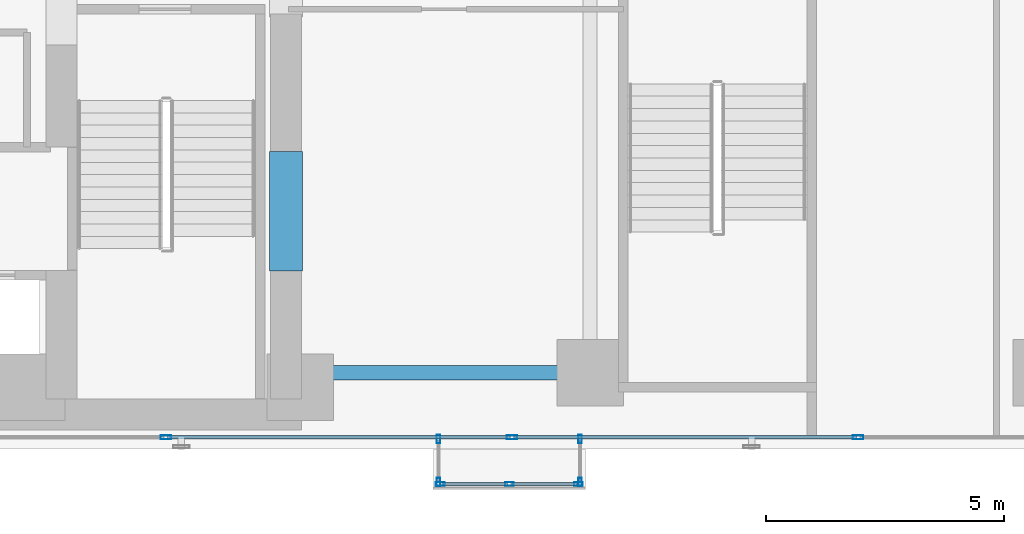
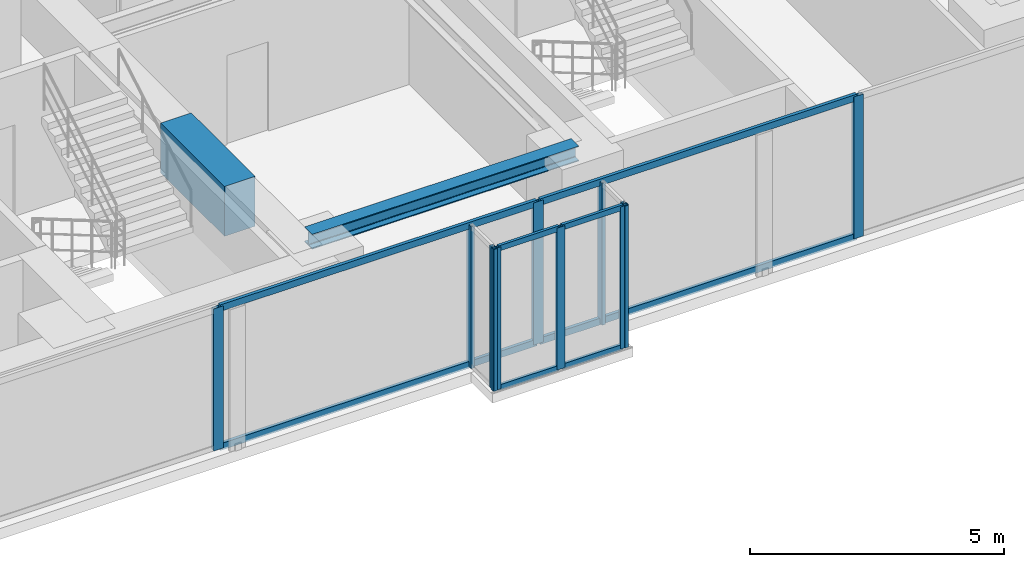
# One storey, part 4 of 25: 18 members, 2 beams, 4 elements without a shape of their own.
"""IFC4 building model written with IfcOpenShell, lengths in metres."""

from ifc_helpers import new_model, si_unit, direction, frame, origin, origin_with_axes, origin_2d, place, context, subcontext, project, spatial, rectangle, hollow_rectangle, i_section, extrude, source, transform, mapped, material, layer, layer_set, material_profile, profile_set, type_object, element, aggregate, save


model = new_model("IFC4")

# Units and contexts
model_context = context("Model", 3, precision=1e-05, world=origin(), true_north=direction((0.0, 1.0)))
body_context = subcontext(model_context, "Body", "Model", "MODEL_VIEW")
ifc_project = project(units=[si_unit("LENGTHUNIT", "METRE"), si_unit("AREAUNIT", "SQUARE_METRE"), si_unit("VOLUMEUNIT", "CUBIC_METRE"), si_unit("PLANEANGLEUNIT", "RADIAN"), si_unit("MASSUNIT", "GRAM", prefix="KILO")], contexts=[model_context])

# Site, building, storey
site_placement = place(None, origin())
site = spatial("IfcSite", under=ifc_project, at=site_placement, CompositionType="ELEMENT")
building_placement = place(site_placement, origin())
building = spatial("IfcBuilding", under=site, at=building_placement, Name="Kolvaren Waterfront Exchange", CompositionType="ELEMENT")
storey_placement = place(building_placement, frame((0.0, 0.0, 137.300048828125)))
storey = spatial("IfcBuildingStorey", under=building, at=storey_placement, Name="L35", CompositionType="ELEMENT", Elevation=137.300048828125)

# Beams
ifc_material_1 = material(Name="Steel S355", Category="steel")
ifc_material_profile_1 = material_profile(ifc_material_1, i_section(OverallWidth=0.300048828125, OverallDepth=0.360107421875, WebThickness=0.012451171875, FlangeThickness=0.0224609375, FilletRadius=0.027099609375, at=origin_2d()), Name="HEB360")
ifc_profile_set_1 = profile_set([ifc_material_profile_1], Name="Steel S355")
beam_type_1 = type_object("IfcBeamType", Name="STR-BM-HEB360", PredefinedType="SPANDREL", material=ifc_profile_set_1)
beam_1_placement = place(storey_placement, frame((21.125, 5.199951171875, 3.239990234375), z_axis=(1.0, 0.0, 0.0), x_axis=(0.0, 1.0, 0.0)))
element("IfcBeam", 1, at=beam_1_placement, inside=storey, type_object=beam_type_1, Name="L35 east-arm spandrel S1", PredefinedType="SPANDREL", context=body_context, shape_type="SweptSolid", body=[
    extrude(i_section(OverallWidth=0.300048828125, OverallDepth=0.360107421875, WebThickness=0.012451171875, FlangeThickness=0.0224609375, FilletRadius=0.027099609375, at=origin_2d()), origin(), (0.0, 0.0, 1.0), 6.074951171875),
])
ifc_material_2 = material(Name="Concrete C70/85", Category="concrete")
ifc_material_profile_2 = material_profile(ifc_material_2, rectangle(XDim=0.699951171875, YDim=1.199951171875, at=origin_2d()), Name="RC-CB-1200x700")
ifc_profile_set_2 = profile_set([ifc_material_profile_2], Name="Concrete C70/85")
beam_type_2 = type_object("IfcBeamType", Name="STR-CB-1200", PredefinedType="SPANDREL", material=ifc_profile_set_2)
beam_2_placement = place(storey_placement, frame((20.800048828125, 7.340087890625, 2.820068359375), z_axis=(0.0, 1.0, 0.0), x_axis=(-1.0, 0.0, 0.0)))
element("IfcBeam", 2, at=beam_2_placement, inside=storey, type_object=beam_type_2, Name="L35 core coupling beam 1", PredefinedType="SPANDREL", context=body_context, shape_type="SweptSolid", body=[
    extrude(rectangle(XDim=0.699951171875, YDim=1.199951171875, at=origin_2d()), origin(), (0.0, 0.0, 1.0), 2.52001953125),
])

# Curtain wall, members
ifc_material_3 = material(Name="Anodised bronze aluminium 6063-T6", Category="aluminium")
ifc_layer_1 = layer(ifc_material_3, 0.219970703125, Name="Anodised bronze aluminium 6063-T6")
ifc_layer_set_1 = layer_set([ifc_layer_1], Name="Anodised bronze aluminium 6063-T6")
curtain_wall_type_1 = type_object("IfcCurtainWallType", Name="ARC-CW-SYS3", PredefinedType="USERDEFINED", material=ifc_layer_set_1)
curtain_wall_1_placement = place(storey_placement, origin())
curtain_wall_1 = element("IfcCurtainWall", 3, at=curtain_wall_1_placement, inside=storey, type_object=curtain_wall_type_1, Name="L35 stick curtain wall CW3 (CW-L35-BOX)", ObjectType="STICK CURTAIN WALL", PredefinedType="USERDEFINED")
ifc_material_profile_3 = material_profile(ifc_material_3, hollow_rectangle(XDim=0.06494140625, YDim=0.1298828125, WallThickness=0.00390625, at=origin_2d()), Name="ALU-TRN-130x65x4")
ifc_profile_set_3 = profile_set([ifc_material_profile_3], Name="Anodised bronze aluminium 6063-T6")
member_type_1 = type_object("IfcMemberType", Name="ARC-CWT-130", PredefinedType="USERDEFINED", material=ifc_profile_set_3)
shared_shape_1 = source(origin_with_axes(), body_context, "Body", "SweptSolid", [
    extrude(hollow_rectangle(XDim=0.06494140625, YDim=0.1298828125, WallThickness=0.00390625, at=origin_2d()), origin(), (0.0, 0.0, 1.0), 1.37744140625),
])
member_1_placement = place(storey_placement, frame((24.0849609375, 2.860107421875, 0.032470703125), z_axis=(1.0, 0.0, 0.0), x_axis=(0.0, 1.0, 0.0)))
member_1 = element("IfcMember", 4, at=member_1_placement, type_object=member_type_1, Name="CW3 transom 1.1", ObjectType="TRANSOM", PredefinedType="USERDEFINED", context=body_context, shape_type="MappedRepresentation", body=[
    mapped(shared_shape_1, transform((0.0, 0.0, 0.0), x_axis=(1.0, 0.0, 0.0), y_axis=(0.0, 1.0, 0.0), z_axis=(0.0, 0.0, 1.0), scale=1.0)),
])
member_2_placement = place(storey_placement, frame((24.0849609375, 2.860107421875, 3.387451171875), z_axis=(1.0, 0.0, 0.0), x_axis=(0.0, 1.0, 0.0)))
member_2 = element("IfcMember", 5, at=member_2_placement, type_object=member_type_1, Name="CW3 transom 1.2", ObjectType="TRANSOM", PredefinedType="USERDEFINED", context=body_context, shape_type="MappedRepresentation", body=[
    mapped(shared_shape_1, transform((0.0, 0.0, 0.0), x_axis=(1.0, 0.0, 0.0), y_axis=(0.0, 1.0, 0.0), z_axis=(0.0, 0.0, 1.0), scale=1.0)),
])
member_3_placement = place(storey_placement, frame((25.53759765625, 2.860107421875, 0.032470703125), z_axis=(1.0, 0.0, 0.0), x_axis=(0.0, 1.0, 0.0)))
member_3 = element("IfcMember", 6, at=member_3_placement, type_object=member_type_1, Name="CW3 transom 2.1", ObjectType="TRANSOM", PredefinedType="USERDEFINED", context=body_context, shape_type="MappedRepresentation", body=[
    mapped(shared_shape_1, transform((0.0, 0.0, 0.0), x_axis=(1.0, 0.0, 0.0), y_axis=(0.0, 1.0, 0.0), z_axis=(0.0, 0.0, 1.0), scale=1.0)),
])
member_4_placement = place(storey_placement, frame((25.53759765625, 2.860107421875, 3.387451171875), z_axis=(1.0, 0.0, 0.0), x_axis=(0.0, 1.0, 0.0)))
member_4 = element("IfcMember", 7, at=member_4_placement, type_object=member_type_1, Name="CW3 transom 2.2", ObjectType="TRANSOM", PredefinedType="USERDEFINED", context=body_context, shape_type="MappedRepresentation", body=[
    mapped(shared_shape_1, transform((0.0, 0.0, 0.0), x_axis=(1.0, 0.0, 0.0), y_axis=(0.0, 1.0, 0.0), z_axis=(0.0, 0.0, 1.0), scale=1.0)),
])

curtain_wall_2_placement = place(storey_placement, origin())
curtain_wall_2 = element("IfcCurtainWall", 8, at=curtain_wall_2_placement, inside=storey, type_object=curtain_wall_type_1, Name="L35 stick curtain wall CW3 (CW-L35-BOX-W)", ObjectType="STICK CURTAIN WALL", PredefinedType="USERDEFINED")
ifc_material_profile_4 = material_profile(ifc_material_3, hollow_rectangle(XDim=0.074951171875, YDim=0.179931640625, WallThickness=0.00439453125, at=origin_2d()), Name="ALU-MUL-180x75x4.5")
ifc_profile_set_4 = profile_set([ifc_material_profile_4], Name="Anodised bronze aluminium 6063-T6")
member_type_2 = type_object("IfcMemberType", Name="ARC-CWM-180", PredefinedType="MULLION", material=ifc_profile_set_4)
shared_shape_2 = source(origin_with_axes(), body_context, "Body", "SweptSolid", [
    extrude(hollow_rectangle(XDim=0.074951171875, YDim=0.179931640625, WallThickness=0.00439453125, at=origin_2d()), origin(), (0.0, 0.0, 1.0), 3.419921875),
])
member_5_placement = place(storey_placement, frame((24.010009765625, 3.802490234375, 0.0), z_axis=(0.0, 0.0, 1.0), x_axis=(1.0, 0.0, 0.0)))
member_5 = element("IfcMember", 9, at=member_5_placement, type_object=member_type_2, Name="CW3 mullion 1", PredefinedType="MULLION", context=body_context, shape_type="MappedRepresentation", body=[
    mapped(shared_shape_2, transform((0.0, 0.0, 0.0), x_axis=(1.0, 0.0, 0.0), y_axis=(0.0, 1.0, 0.0), z_axis=(0.0, 0.0, 1.0), scale=1.0)),
])
member_6_placement = place(storey_placement, frame((24.010009765625, 2.8974609375, 0.0), z_axis=(0.0, 0.0, 1.0), x_axis=(1.0, 0.0, 0.0)))
member_6 = element("IfcMember", 10, at=member_6_placement, type_object=member_type_2, Name="CW3 mullion 2", PredefinedType="MULLION", context=body_context, shape_type="MappedRepresentation", body=[
    mapped(shared_shape_2, transform((0.0, 0.0, 0.0), x_axis=(1.0, 0.0, 0.0), y_axis=(0.0, 1.0, 0.0), z_axis=(0.0, 0.0, 1.0), scale=1.0)),
])
aggregate(curtain_wall_2, [member_5, member_6])

# Member
member_7_placement = place(storey_placement, frame((24.047607421875, 2.860107421875, 0.0), z_axis=(0.0, 0.0, 1.0), x_axis=(0.0, 1.0, 0.0)))
member_7 = element("IfcMember", 11, at=member_7_placement, type_object=member_type_2, Name="CW3 mullion 1", PredefinedType="MULLION", context=body_context, shape_type="MappedRepresentation", body=[
    mapped(shared_shape_2, transform((0.0, 0.0, 0.0), x_axis=(1.0, 0.0, 0.0), y_axis=(0.0, 1.0, 0.0), z_axis=(0.0, 0.0, 1.0), scale=1.0)),
])

member_8_placement = place(storey_placement, frame((25.5, 2.860107421875, 0.0), z_axis=(0.0, 0.0, 1.0), x_axis=(0.0, 1.0, 0.0)))
member_8 = element("IfcMember", 12, at=member_8_placement, type_object=member_type_2, Name="CW3 mullion 2", PredefinedType="MULLION", context=body_context, shape_type="MappedRepresentation", body=[
    mapped(shared_shape_2, transform((0.0, 0.0, 0.0), x_axis=(1.0, 0.0, 0.0), y_axis=(0.0, 1.0, 0.0), z_axis=(0.0, 0.0, 1.0), scale=1.0)),
])

member_9_placement = place(storey_placement, frame((26.952392578125, 2.860107421875, 0.0), z_axis=(0.0, 0.0, 1.0), x_axis=(0.0, 1.0, 0.0)))
member_9 = element("IfcMember", 13, at=member_9_placement, type_object=member_type_2, Name="CW3 mullion 3", PredefinedType="MULLION", context=body_context, shape_type="MappedRepresentation", body=[
    mapped(shared_shape_2, transform((0.0, 0.0, 0.0), x_axis=(1.0, 0.0, 0.0), y_axis=(0.0, 1.0, 0.0), z_axis=(0.0, 0.0, 1.0), scale=1.0)),
])

aggregate(curtain_wall_1, [member_7, member_8, member_9, member_1, member_2, member_3, member_4])

# Curtain wall, members
curtain_wall_3_placement = place(storey_placement, origin())
curtain_wall_3 = element("IfcCurtainWall", 14, at=curtain_wall_3_placement, inside=storey, type_object=curtain_wall_type_1, Name="L35 stick curtain wall CW3 (CW-L35-BOX-E)", ObjectType="STICK CURTAIN WALL", PredefinedType="USERDEFINED")
member_10_placement = place(storey_placement, frame((26.989990234375, 2.8974609375, 0.0), z_axis=(0.0, 0.0, 1.0), x_axis=(-1.0, 0.0, 0.0)))
member_10 = element("IfcMember", 15, at=member_10_placement, type_object=member_type_2, Name="CW3 mullion 1", PredefinedType="MULLION", context=body_context, shape_type="MappedRepresentation", body=[
    mapped(shared_shape_2, transform((0.0, 0.0, 0.0), x_axis=(1.0, 0.0, 0.0), y_axis=(0.0, 1.0, 0.0), z_axis=(0.0, 0.0, 1.0), scale=1.0)),
])
member_11_placement = place(storey_placement, frame((26.989990234375, 3.802490234375, 0.0), z_axis=(0.0, 0.0, 1.0), x_axis=(-1.0, 0.0, 0.0)))
member_11 = element("IfcMember", 16, at=member_11_placement, type_object=member_type_2, Name="CW3 mullion 2", PredefinedType="MULLION", context=body_context, shape_type="MappedRepresentation", body=[
    mapped(shared_shape_2, transform((0.0, 0.0, 0.0), x_axis=(1.0, 0.0, 0.0), y_axis=(0.0, 1.0, 0.0), z_axis=(0.0, 0.0, 1.0), scale=1.0)),
])
aggregate(curtain_wall_3, [member_10, member_11])

ifc_layer_2 = layer(ifc_material_3, 0.219970703125, Name="Anodised bronze aluminium 6063-T6")
ifc_layer_set_2 = layer_set([ifc_layer_2], Name="Anodised bronze aluminium 6063-T6")
curtain_wall_type_2 = type_object("IfcCurtainWallType", Name="ARC-CW-SYS1", PredefinedType="USERDEFINED", material=ifc_layer_set_2)
curtain_wall_4_placement = place(storey_placement, origin())
curtain_wall_4 = element("IfcCurtainWall", 17, at=curtain_wall_4_placement, inside=storey, type_object=curtain_wall_type_2, Name="L35 stick curtain wall CW1 (CW-L35-S)", ObjectType="STICK CURTAIN WALL", PredefinedType="USERDEFINED")
ifc_material_4 = material(Name="Anodised aluminium 6063-T6", Category="aluminium")
ifc_material_profile_5 = material_profile(ifc_material_4, hollow_rectangle(XDim=0.080078125, YDim=0.219970703125, WallThickness=0.0048828125, at=origin_2d()), Name="ALU-MUL-220x80x5")
ifc_profile_set_5 = profile_set([ifc_material_profile_5], Name="Anodised aluminium 6063-T6")
member_type_3 = type_object("IfcMemberType", Name="ARC-CWM-220", PredefinedType="MULLION", material=ifc_profile_set_5)
shared_shape_3 = source(origin_with_axes(), body_context, "Body", "SweptSolid", [
    extrude(hollow_rectangle(XDim=0.080078125, YDim=0.219970703125, WallThickness=0.0048828125, at=origin_2d()), origin(), (0.0, 0.0, 1.0), 3.419921875),
])
member_12_placement = place(storey_placement, frame((18.271484375, 3.840087890625, 0.0), z_axis=(0.0, 0.0, 1.0), x_axis=(0.0, 1.0, 0.0)))
member_12 = element("IfcMember", 18, at=member_12_placement, type_object=member_type_3, Name="CW1 mullion 3", PredefinedType="MULLION", context=body_context, shape_type="MappedRepresentation", body=[
    mapped(shared_shape_3, transform((0.0, 0.0, 0.0), x_axis=(1.0, 0.0, 0.0), y_axis=(0.0, 1.0, 0.0), z_axis=(0.0, 0.0, 1.0), scale=1.0)),
])
member_13_placement = place(storey_placement, frame((25.55712890625, 3.840087890625, 0.0), z_axis=(0.0, 0.0, 1.0), x_axis=(0.0, 1.0, 0.0)))
member_13 = element("IfcMember", 19, at=member_13_placement, type_object=member_type_3, Name="CW1 mullion 4", PredefinedType="MULLION", context=body_context, shape_type="MappedRepresentation", body=[
    mapped(shared_shape_3, transform((0.0, 0.0, 0.0), x_axis=(1.0, 0.0, 0.0), y_axis=(0.0, 1.0, 0.0), z_axis=(0.0, 0.0, 1.0), scale=1.0)),
])
member_14_placement = place(storey_placement, frame((32.8427734375, 3.840087890625, 0.0), z_axis=(0.0, 0.0, 1.0), x_axis=(0.0, 1.0, 0.0)))
member_14 = element("IfcMember", 20, at=member_14_placement, type_object=member_type_3, Name="CW1 mullion 5", PredefinedType="MULLION", context=body_context, shape_type="MappedRepresentation", body=[
    mapped(shared_shape_3, transform((0.0, 0.0, 0.0), x_axis=(1.0, 0.0, 0.0), y_axis=(0.0, 1.0, 0.0), z_axis=(0.0, 0.0, 1.0), scale=1.0)),
])
ifc_material_profile_6 = material_profile(ifc_material_4, hollow_rectangle(XDim=0.074951171875, YDim=0.159912109375, WallThickness=0.00439453125, at=origin_2d()), Name="ALU-TRN-160x75x4.5")
ifc_profile_set_6 = profile_set([ifc_material_profile_6], Name="Anodised aluminium 6063-T6")
member_type_4 = type_object("IfcMemberType", Name="ARC-CWT-160", PredefinedType="USERDEFINED", material=ifc_profile_set_6)
shared_shape_4 = source(origin_with_axes(), body_context, "Body", "SweptSolid", [
    extrude(hollow_rectangle(XDim=0.074951171875, YDim=0.159912109375, WallThickness=0.00439453125, at=origin_2d()), origin(), (0.0, 0.0, 1.0), 7.205810546875),
])
member_15_placement = place(storey_placement, frame((25.59716796875, 3.840087890625, 0.037353515625), z_axis=(1.0, 0.0, 0.0), x_axis=(0.0, 1.0, 0.0)))
member_15 = element("IfcMember", 21, at=member_15_placement, type_object=member_type_4, Name="CW1 transom 4.1", ObjectType="TRANSOM", PredefinedType="USERDEFINED", context=body_context, shape_type="MappedRepresentation", body=[
    mapped(shared_shape_4, transform((0.0, 0.0, 0.0), x_axis=(1.0, 0.0, 0.0), y_axis=(0.0, 1.0, 0.0), z_axis=(0.0, 0.0, 1.0), scale=1.0)),
])
member_16_placement = place(storey_placement, frame((25.59716796875, 3.840087890625, 3.382568359375), z_axis=(1.0, 0.0, 0.0), x_axis=(0.0, 1.0, 0.0)))
member_16 = element("IfcMember", 22, at=member_16_placement, type_object=member_type_4, Name="CW1 transom 4.2", ObjectType="TRANSOM", PredefinedType="USERDEFINED", context=body_context, shape_type="MappedRepresentation", body=[
    mapped(shared_shape_4, transform((0.0, 0.0, 0.0), x_axis=(1.0, 0.0, 0.0), y_axis=(0.0, 1.0, 0.0), z_axis=(0.0, 0.0, 1.0), scale=1.0)),
])
shared_shape_5 = source(origin_with_axes(), body_context, "Body", "SweptSolid", [
    extrude(hollow_rectangle(XDim=0.074951171875, YDim=0.159912109375, WallThickness=0.00439453125, at=origin_2d()), origin(), (0.0, 0.0, 1.0), 7.20556640625),
])
member_17_placement = place(storey_placement, frame((18.3115234375, 3.840087890625, 0.037353515625), z_axis=(1.0, 0.0, 0.0), x_axis=(0.0, 1.0, 0.0)))
member_17 = element("IfcMember", 23, at=member_17_placement, type_object=member_type_4, Name="CW1 transom 3.1", ObjectType="TRANSOM", PredefinedType="USERDEFINED", context=body_context, shape_type="MappedRepresentation", body=[
    mapped(shared_shape_5, transform((0.0, 0.0, 0.0), x_axis=(1.0, 0.0, 0.0), y_axis=(0.0, 1.0, 0.0), z_axis=(0.0, 0.0, 1.0), scale=1.0)),
])
member_18_placement = place(storey_placement, frame((18.3115234375, 3.840087890625, 3.382568359375), z_axis=(1.0, 0.0, 0.0), x_axis=(0.0, 1.0, 0.0)))
member_18 = element("IfcMember", 24, at=member_18_placement, type_object=member_type_4, Name="CW1 transom 3.2", ObjectType="TRANSOM", PredefinedType="USERDEFINED", context=body_context, shape_type="MappedRepresentation", body=[
    mapped(shared_shape_5, transform((0.0, 0.0, 0.0), x_axis=(1.0, 0.0, 0.0), y_axis=(0.0, 1.0, 0.0), z_axis=(0.0, 0.0, 1.0), scale=1.0)),
])
aggregate(curtain_wall_4, [member_12, member_13, member_14, member_17, member_18, member_15, member_16])

save(model, "model.ifc")
